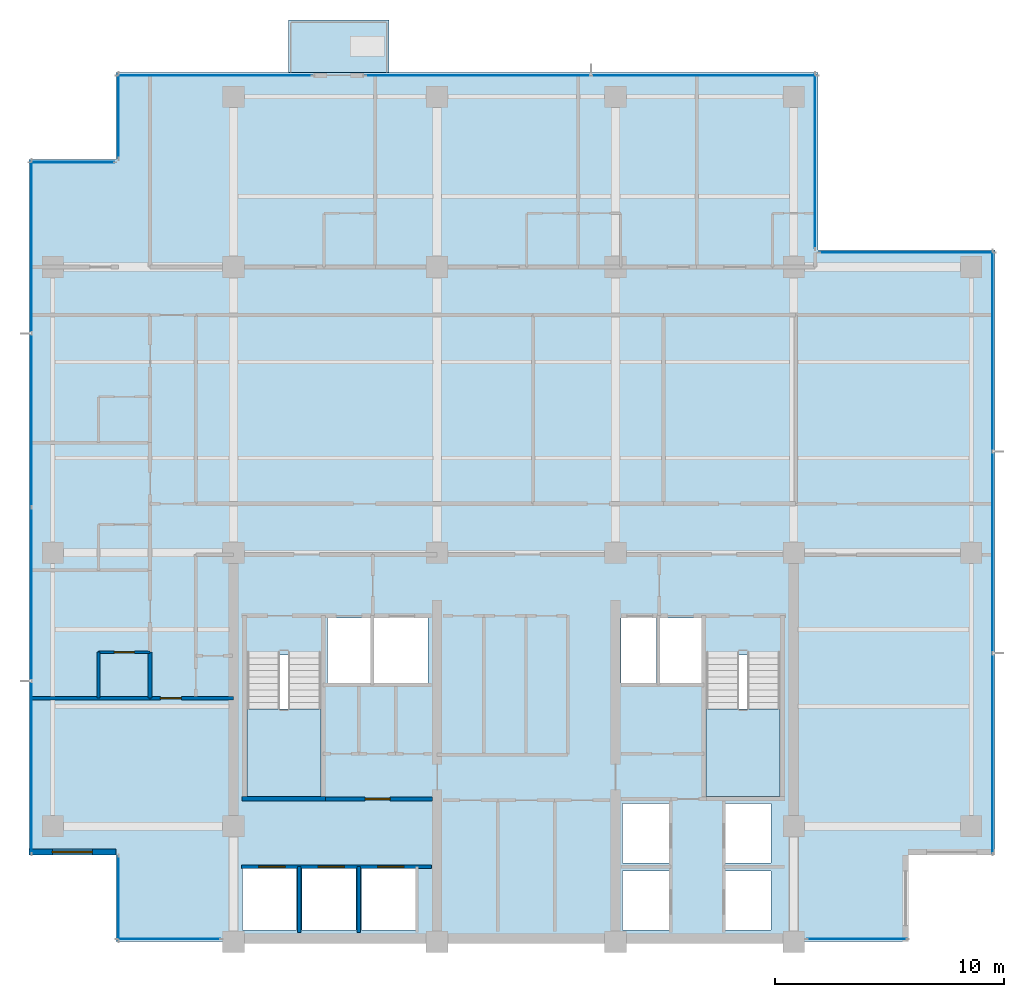
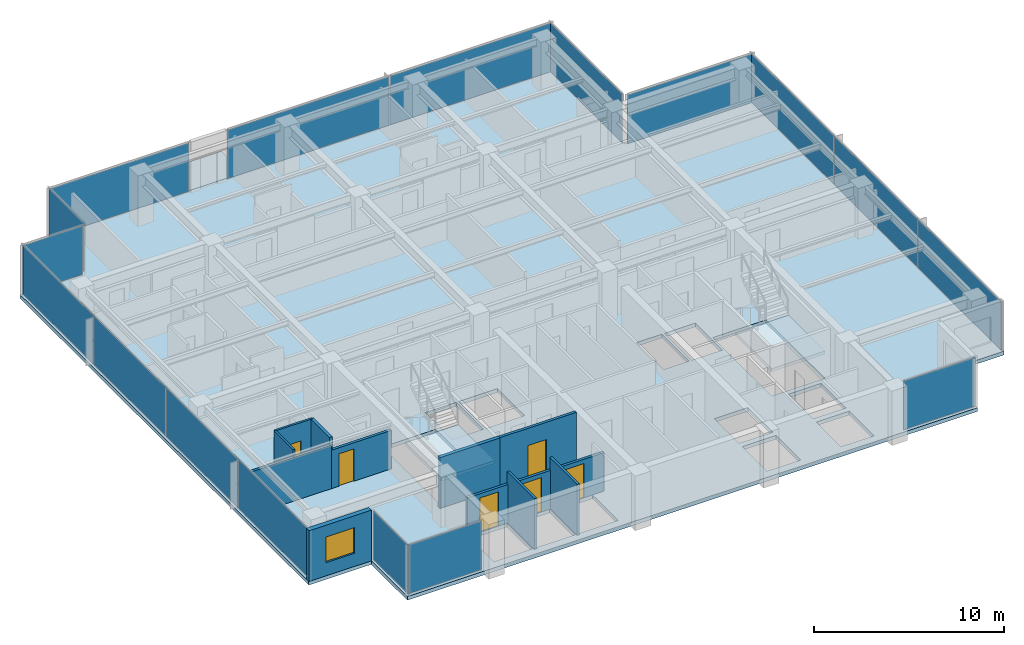
# One storey, part 6 of 14: 17 plates, 11 walls, 6 doors, 4 slabs, 1 window, 7 openings, 13 elements without a shape of their own.
"""IFC4 building model written with IfcOpenShell, lengths in metres."""

import ifcopenshell
import ifcopenshell.guid

model = None  # the IFC model being written
_history = None  # IfcOwnerHistory: only IFC2X3 demands one
_inside = {}  # id of a spatial element -> (the spatial element, [elements in it])
_under = {}  # id of a project, library or spatial element -> (it, [spatial elements below it])
_declared = {}  # id of a project -> (the project, [libraries it declares])
_typed = {}  # id of a type object -> (the type object, [elements of that type])
_made_of = {}  # id of a material, layer set ... -> (it, [elements and type objects made of it])


def new_model(schema):
    """Start an empty IFC model of exactly this schema.

    Asked for "IFC4X3", IfcOpenShell would pick the latest addendum, in which some entities
    have other attributes; the version numbers below select the first issue.
    IFC2X3 requires an IfcOwnerHistory on every rooted entity: one is made here for all.
    """
    global model, _history
    if schema == "IFC4X3":
        model = ifcopenshell.file(schema_version=(4, 3, 0, 0))
    else:
        model = ifcopenshell.file(schema=schema)
    _inside.clear()
    _under.clear()
    _declared.clear()
    _typed.clear()
    _made_of.clear()
    _history = None
    if model.schema == "IFC2X3":
        org = make("IfcOrganization", Name="unknown")
        user = make(
            "IfcPersonAndOrganization",
            ThePerson=make("IfcPerson", FamilyName="unknown"),
            TheOrganization=org,
        )
        app = make(
            "IfcApplication",
            ApplicationDeveloper=org,
            Version="unknown",
            ApplicationFullName="unknown",
            ApplicationIdentifier="unknown",
        )
        _history = make(
            "IfcOwnerHistory",
            OwningUser=user,
            OwningApplication=app,
            ChangeAction="ADDED",
            CreationDate=0,
        )
    return model


def make(cls, **values):
    """One entity of the class cls with the attributes given. An attribute that is None is left unset."""
    return model.create_entity(
        cls, **{name: value for name, value in values.items() if value is not None}
    )


def rooted(cls, **values):
    """An entity with a GlobalId (a new one), such as an element, a storey or a relation."""
    return make(cls, GlobalId=ifcopenshell.guid.new(), OwnerHistory=_history, **values)


def si_unit(unit_type, name, prefix=None):
    """IfcSIUnit, for example si_unit("LENGTHUNIT", "METRE", prefix="MILLI")."""
    return make("IfcSIUnit", UnitType=unit_type, Prefix=prefix, Name=name)


def assignment(units):
    """IfcUnitAssignment: the units of a project."""
    return None if units is None else make("IfcUnitAssignment", Units=units)


def point(xyz):
    """IfcCartesianPoint."""
    return None if xyz is None else make("IfcCartesianPoint", Coordinates=xyz)


def direction(xyz):
    """IfcDirection."""
    return None if xyz is None else make("IfcDirection", DirectionRatios=xyz)


def frame(location, z_axis=None, x_axis=None):
    """IfcAxis2Placement3D, a coordinate frame: its origin and axes. An axis left out is left unset."""
    return make(
        "IfcAxis2Placement3D",
        Location=point(location),
        Axis=direction(z_axis),
        RefDirection=direction(x_axis),
    )


def frame_2d(location, x_axis=None):
    """IfcAxis2Placement2D, a coordinate frame in the plane: its origin and x axis."""
    return make(
        "IfcAxis2Placement2D", Location=point(location), RefDirection=direction(x_axis)
    )


def origin():
    """The frame at (0, 0, 0) with its axes left unset."""
    return frame((0.0, 0.0, 0.0))


def origin_2d():
    """The frame at (0, 0) in the plane with its x axis left unset."""
    return frame_2d((0.0, 0.0))


def place(relative_to, where):
    """IfcLocalPlacement: puts the frame where relative to a parent placement (None: the world)."""
    return make(
        "IfcLocalPlacement", PlacementRelTo=relative_to, RelativePlacement=where
    )


def context(
    kind, dimensions, precision=None, world=None, true_north=None, identifier=None
):
    """IfcGeometricRepresentationContext, for example the 3D "Model" context."""
    return make(
        "IfcGeometricRepresentationContext",
        ContextIdentifier=identifier,
        ContextType=kind,
        CoordinateSpaceDimension=dimensions,
        Precision=precision,
        WorldCoordinateSystem=world,
        TrueNorth=true_north,
    )


def subcontext(parent, identifier, kind, view, scale=None):
    """IfcGeometricRepresentationSubContext, for example "Body" below "Model"."""
    return make(
        "IfcGeometricRepresentationSubContext",
        ContextIdentifier=identifier,
        ContextType=kind,
        ParentContext=parent,
        TargetScale=scale,
        TargetView=view,
    )


def project(units=None, contexts=None):
    """IfcProject with its units and contexts."""
    return rooted(
        "IfcProject",
        Name="project",
        RepresentationContexts=contexts,
        UnitsInContext=assignment(units),
    )


def spatial(cls, under=None, at=None, **own):
    """A site, building, storey or space (cls), placed at a placement, below another one or the project."""
    s = rooted(cls, ObjectPlacement=at, **own)
    if under is not None:
        _under.setdefault(under.id(), (under, []))[1].append(s)
    return s


def polyline(points):
    """IfcPolyline through the points."""
    return make("IfcPolyline", Points=[point(p) for p in points])


def profile(cls, at=None, kind="AREA", **sizes):
    """A parametric profile (cls). Its sizes go by their IFC names, for example OverallWidth=200.0."""
    return make(cls, ProfileType=kind, Position=at, **sizes)


def rectangle(**sizes):
    """IfcRectangleProfileDef."""
    return profile("IfcRectangleProfileDef", **sizes)


def outline(outer, holes=None, kind="AREA"):
    """IfcArbitraryClosedProfileDef: a profile drawn as a closed curve; with holes, ...WithVoids."""
    if holes is None:
        return make("IfcArbitraryClosedProfileDef", ProfileType=kind, OuterCurve=outer)
    return make(
        "IfcArbitraryProfileDefWithVoids",
        ProfileType=kind,
        OuterCurve=outer,
        InnerCurves=holes,
    )


def extrude(swept, where, along, depth):
    """IfcExtrudedAreaSolid: the profile swept, set in the frame where, extruded along a direction by depth."""
    return make(
        "IfcExtrudedAreaSolid",
        SweptArea=swept,
        Position=where,
        ExtrudedDirection=direction(along),
        Depth=depth,
    )


def shape(context_of_items, identifier, shape_type, items):
    """IfcShapeRepresentation: the items that make up one representation, for example the "Body"."""
    return make(
        "IfcShapeRepresentation",
        ContextOfItems=context_of_items,
        RepresentationIdentifier=identifier,
        RepresentationType=shape_type,
        Items=items,
    )


def material(Name=None, Category=None):
    """IfcMaterial."""
    return make("IfcMaterial", Name=Name, Category=Category)


def layer(
    of_material, thickness, ventilated=None, Name=None, Category=None, Priority=None
):
    """IfcMaterialLayer: one layer of a wall or slab, of a material (None: an air gap)."""
    return make(
        "IfcMaterialLayer",
        Material=of_material,
        LayerThickness=thickness,
        IsVentilated=ventilated,
        Name=Name,
        Category=Category,
        Priority=Priority,
    )


def layer_set(layers, Name=None):
    """IfcMaterialLayerSet."""
    return make("IfcMaterialLayerSet", MaterialLayers=layers, LayerSetName=Name)


def made_of(thing, what):
    """Note that an element or type object is made of a material, layer set ...; save() writes the relation."""
    if what is not None:
        _made_of.setdefault(what.id(), (what, []))[1].append(thing)
    return thing


def type_object(cls, material=None, **own):
    """A type object (cls), such as IfcWallType, which elements share."""
    return made_of(rooted(cls, **own), material)


def element(
    cls,
    number,
    at=None,
    inside=None,
    cuts=None,
    type_object=None,
    material=None,
    context=None,
    identifier="Body",
    shape_type=None,
    held_by="IfcProductDefinitionShape",
    body=None,
    shapes=None,
    **own,
):
    """One element of the class cls, such as IfcWall. Its Tag is "e" and its number.

    at: its placement. inside: the storey or other place that contains it. cuts: it is an
    opening in that element (IfcRelVoidsElement). A single representation is given by context,
    identifier, shape_type and body (its items); several are given by shapes. held_by: the class
    of the entity that holds the representations. save() writes the other relations.
    """
    e = rooted(cls, Tag="e%d" % number, ObjectPlacement=at, **own)
    if body is not None:
        shapes = [shape(context, identifier, shape_type, body)]
    if shapes is not None:
        e.Representation = make(held_by, Representations=shapes)
    if inside is not None:
        _inside.setdefault(inside.id(), (inside, []))[1].append(e)
    if cuts is not None:
        rooted(
            "IfcRelVoidsElement", RelatingBuildingElement=cuts, RelatedOpeningElement=e
        )
    if type_object is not None:
        _typed.setdefault(type_object.id(), (type_object, []))[1].append(e)
    return made_of(e, material)


def fill(opening, filler):
    """IfcRelFillsElement: the door or window that sits in an opening."""
    return rooted(
        "IfcRelFillsElement",
        RelatingOpeningElement=opening,
        RelatedBuildingElement=filler,
    )


def aggregate(whole, parts):
    """IfcRelAggregates: a whole, such as a stair, and the parts it consists of."""
    return rooted("IfcRelAggregates", RelatingObject=whole, RelatedObjects=parts)


def save(model, path):
    """Write the relations noted so far, then the file.

    IfcRelAggregates (storeys below a building ...), IfcRelContainedInSpatialStructure (elements
    in a storey), IfcRelDefinesByType, IfcRelAssociatesMaterial and IfcRelDeclares: one each for
    every whole, place, type object, material and project.
    """
    for whole, parts in _under.values():
        aggregate(whole, parts)
    for where, things in _inside.values():
        rooted(
            "IfcRelContainedInSpatialStructure",
            RelatedElements=things,
            RelatingStructure=where,
        )
    for kind, things in _typed.values():
        rooted("IfcRelDefinesByType", RelatedObjects=things, RelatingType=kind)
    for what, things in _made_of.values():
        rooted("IfcRelAssociatesMaterial", RelatedObjects=things, RelatingMaterial=what)
    for by, libraries in _declared.values():
        rooted("IfcRelDeclares", RelatingContext=by, RelatedDefinitions=libraries)
    model.write(path)


model = new_model("IFC4")

# Units and contexts
model_context = context("Model", 3, precision=1e-05, world=origin(), true_north=direction((0.0, 1.0)))
body_context = subcontext(model_context, "Body", "Model", "MODEL_VIEW")
ifc_project = project(units=[si_unit("LENGTHUNIT", "METRE"), si_unit("AREAUNIT", "SQUARE_METRE"), si_unit("VOLUMEUNIT", "CUBIC_METRE"), si_unit("PLANEANGLEUNIT", "RADIAN"), si_unit("MASSUNIT", "GRAM", prefix="KILO")], contexts=[model_context])

# Site, building, storey
site_placement = place(None, origin())
site = spatial("IfcSite", under=ifc_project, at=site_placement, CompositionType="ELEMENT")
building_placement = place(site_placement, origin())
building = spatial("IfcBuilding", under=site, at=building_placement, Name="Qalmaran Belvedere Hotel", CompositionType="ELEMENT")
storey_placement = place(building_placement, frame((0.0, 0.0, 200.39990234375)))
storey = spatial("IfcBuildingStorey", under=building, at=storey_placement, Name="L50", CompositionType="ELEMENT", Elevation=200.39990234375)

# Curtain wall, plate
ifc_material_1 = material(Name="Anodised Bronze Aluminium", Category="aluminium")
ifc_layer_1 = layer(ifc_material_1, 0.18994140625, Name="Anodised Bronze Aluminium")
ifc_layer_set_1 = layer_set([ifc_layer_1], Name="Anodised Bronze Aluminium")
curtain_wall_type = type_object("IfcCurtainWallType", Name="CW5-TOWER-UPPER", PredefinedType="NOTDEFINED", material=ifc_layer_set_1)
curtain_wall_1_placement = place(storey_placement, origin())
curtain_wall_1 = element("IfcCurtainWall", 1, at=curtain_wall_1_placement, inside=storey, type_object=curtain_wall_type, Name="L50 Curtain Wall CW5", PredefinedType="NOTDEFINED")
ifc_material_2 = material(Name="Solar-Control Double Glazing", Category="glass")
ifc_layer_2 = layer(ifc_material_2, 0.028076171875, Name="Solar-Control Double Glazing")
ifc_layer_set_2 = layer_set([ifc_layer_2], Name="Solar-Control Double Glazing")
plate_type = type_object("IfcPlateType", Name="CWP-VISION-28", PredefinedType="CURTAIN_PANEL", material=ifc_layer_set_2)
plate_1_placement = place(storey_placement, frame((17.467529296875, 3.6201171875, 0.065185546875), z_axis=(0.0, 0.0, 1.0), x_axis=(1.0, 0.0, 0.0)))
plate_1 = element("IfcPlate", 2, at=plate_1_placement, type_object=plate_type, Name="CW5 panel 1.1", PredefinedType="CURTAIN_PANEL", context=body_context, shape_type="SweptSolid", body=[
    extrude(rectangle(XDim=4.5048828125, YDim=0.028076171875, at=origin_2d()), origin(), (0.0, 0.0, 1.0), 3.1298828125),
])
aggregate(curtain_wall_1, [plate_1])

curtain_wall_2_placement = place(storey_placement, origin())
curtain_wall_2 = element("IfcCurtainWall", 3, at=curtain_wall_2_placement, inside=storey, type_object=curtain_wall_type, Name="L50 Curtain Wall CW5", PredefinedType="NOTDEFINED")
plate_2_placement = place(storey_placement, frame((47.5576171875, 3.6201171875, 0.065185546875), z_axis=(0.0, 0.0, 1.0), x_axis=(1.0, 0.0, 0.0)))
plate_2 = element("IfcPlate", 4, at=plate_2_placement, type_object=plate_type, Name="CW5 panel 1.1", PredefinedType="CURTAIN_PANEL", context=body_context, shape_type="SweptSolid", body=[
    extrude(rectangle(XDim=4.35498046875, YDim=0.028076171875, at=origin_2d()), origin(), (0.0, 0.0, 1.0), 3.1298828125),
])
aggregate(curtain_wall_2, [plate_2])

# Curtain wall, plates
curtain_wall_3_placement = place(storey_placement, origin())
curtain_wall_3 = element("IfcCurtainWall", 5, at=curtain_wall_3_placement, inside=storey, type_object=curtain_wall_type, Name="L50 Curtain Wall CW5", PredefinedType="NOTDEFINED")
plate_3_placement = place(storey_placement, frame((53.47998046875, 11.724609375, 0.065185546875), z_axis=(0.0, 0.0, 1.0), x_axis=(0.0, 1.0, 0.0)))
plate_3 = element("IfcPlate", 6, at=plate_3_placement, type_object=plate_type, Name="CW5 panel 1.1", PredefinedType="CURTAIN_PANEL", context=body_context, shape_type="SweptSolid", body=[
    extrude(rectangle(XDim=8.71923828125, YDim=0.028076171875, at=origin_2d()), origin(), (0.0, 0.0, 1.0), 3.1298828125),
])
plate_4_placement = place(storey_placement, frame((53.47998046875, 20.52490234375, 0.065185546875), z_axis=(0.0, 0.0, 1.0), x_axis=(0.0, 1.0, 0.0)))
plate_4 = element("IfcPlate", 7, at=plate_4_placement, type_object=plate_type, Name="CW5 panel 2.1", PredefinedType="CURTAIN_PANEL", context=body_context, shape_type="SweptSolid", body=[
    extrude(rectangle(XDim=8.751708984375, YDim=0.028076171875, at=origin_2d()), origin(), (0.0, 0.0, 1.0), 3.1298828125),
])
plate_5_placement = place(storey_placement, frame((53.47998046875, 29.325439453125, 0.065185546875), z_axis=(0.0, 0.0, 1.0), x_axis=(0.0, 1.0, 0.0)))
plate_5 = element("IfcPlate", 8, at=plate_5_placement, type_object=plate_type, Name="CW5 panel 3.1", PredefinedType="CURTAIN_PANEL", context=body_context, shape_type="SweptSolid", body=[
    extrude(rectangle(XDim=8.71923828125, YDim=0.028076171875, at=origin_2d()), origin(), (0.0, 0.0, 1.0), 3.1298828125),
])
aggregate(curtain_wall_3, [plate_3, plate_4, plate_5])

# Curtain wall, plate
curtain_wall_4_placement = place(storey_placement, origin())
curtain_wall_4 = element("IfcCurtainWall", 9, at=curtain_wall_4_placement, inside=storey, type_object=curtain_wall_type, Name="L50 Curtain Wall CW5", PredefinedType="NOTDEFINED")
plate_6_placement = place(storey_placement, frame((49.72509765625, 33.6298828125, 0.065185546875), z_axis=(0.0, 0.0, 1.0), x_axis=(-1.0, 0.0, 0.0)))
plate_6 = element("IfcPlate", 10, at=plate_6_placement, type_object=plate_type, Name="CW5 panel 1.1", PredefinedType="CURTAIN_PANEL", context=body_context, shape_type="SweptSolid", body=[
    extrude(rectangle(XDim=7.6201171875, YDim=0.028076171875, at=origin_2d()), origin(), (0.0, 0.0, 1.0), 3.1298828125),
])
aggregate(curtain_wall_4, [plate_6])

curtain_wall_5_placement = place(storey_placement, origin())
curtain_wall_5 = element("IfcCurtainWall", 11, at=curtain_wall_5_placement, inside=storey, type_object=curtain_wall_type, Name="L50 Curtain Wall CW5", PredefinedType="NOTDEFINED")
plate_7_placement = place(storey_placement, frame((45.72998046875, 37.625, 0.065185546875), z_axis=(0.0, 0.0, 1.0), x_axis=(0.0, 1.0, 0.0)))
plate_7 = element("IfcPlate", 12, at=plate_7_placement, type_object=plate_type, Name="CW5 panel 1.1", PredefinedType="CURTAIN_PANEL", context=body_context, shape_type="SweptSolid", body=[
    extrude(rectangle(XDim=7.6201171875, YDim=0.028076171875, at=origin_2d()), origin(), (0.0, 0.0, 1.0), 3.1298828125),
])
aggregate(curtain_wall_5, [plate_7])

curtain_wall_6_placement = place(storey_placement, origin())
curtain_wall_6 = element("IfcCurtainWall", 13, at=curtain_wall_6_placement, inside=storey, type_object=curtain_wall_type, Name="L50 Curtain Wall CW5", PredefinedType="NOTDEFINED")
plate_8_placement = place(storey_placement, frame((19.47509765625, 41.3798828125, 0.065185546875), z_axis=(0.0, 0.0, 1.0), x_axis=(-1.0, 0.0, 0.0)))
plate_8 = element("IfcPlate", 14, at=plate_8_placement, type_object=plate_type, Name="CW5 panel 1.1", PredefinedType="CURTAIN_PANEL", context=body_context, shape_type="SweptSolid", body=[
    extrude(rectangle(XDim=8.52001953125, YDim=0.028076171875, at=origin_2d()), origin(), (0.0, 0.0, 1.0), 3.1298828125),
])
aggregate(curtain_wall_6, [plate_8])

# Curtain wall, plates
curtain_wall_7_placement = place(storey_placement, origin())
curtain_wall_7 = element("IfcCurtainWall", 15, at=curtain_wall_7_placement, inside=storey, type_object=curtain_wall_type, Name="L50 Curtain Wall CW5", PredefinedType="NOTDEFINED")
plate_9_placement = place(storey_placement, frame((40.871337890625, 41.3798828125, 0.065185546875), z_axis=(0.0, 0.0, 1.0), x_axis=(-1.0, 0.0, 0.0)))
plate_9 = element("IfcPlate", 16, at=plate_9_placement, type_object=plate_type, Name="CW5 panel 1.1", PredefinedType="CURTAIN_PANEL", context=body_context, shape_type="SweptSolid", body=[
    extrude(rectangle(XDim=9.827392578125, YDim=0.028076171875, at=origin_2d()), origin(), (0.0, 0.0, 1.0), 3.1298828125),
])
plate_10_placement = place(storey_placement, frame((30.978759765625, 41.3798828125, 0.065185546875), z_axis=(0.0, 0.0, 1.0), x_axis=(-1.0, 0.0, 0.0)))
plate_10 = element("IfcPlate", 17, at=plate_10_placement, type_object=plate_type, Name="CW5 panel 2.1", PredefinedType="CURTAIN_PANEL", context=body_context, shape_type="SweptSolid", body=[
    extrude(rectangle(XDim=9.827392578125, YDim=0.028076171875, at=origin_2d()), origin(), (0.0, 0.0, 1.0), 3.1298828125),
])
aggregate(curtain_wall_7, [plate_9, plate_10])

# Curtain wall, plate
curtain_wall_8_placement = place(storey_placement, origin())
curtain_wall_8 = element("IfcCurtainWall", 18, at=curtain_wall_8_placement, inside=storey, type_object=curtain_wall_type, Name="L50 Curtain Wall CW5", PredefinedType="NOTDEFINED")
plate_11_placement = place(storey_placement, frame((15.27001953125, 39.60009765625, 0.065185546875), z_axis=(0.0, 0.0, 1.0), x_axis=(0.0, -1.0, 0.0)))
plate_11 = element("IfcPlate", 19, at=plate_11_placement, type_object=plate_type, Name="CW5 panel 1.1", PredefinedType="CURTAIN_PANEL", context=body_context, shape_type="SweptSolid", body=[
    extrude(rectangle(XDim=3.669921875, YDim=0.028076171875, at=origin_2d()), origin(), (0.0, 0.0, 1.0), 3.1298828125),
])
aggregate(curtain_wall_8, [plate_11])

curtain_wall_9_placement = place(storey_placement, origin())
curtain_wall_9 = element("IfcCurtainWall", 20, at=curtain_wall_9_placement, inside=storey, type_object=curtain_wall_type, Name="L50 Curtain Wall CW5", PredefinedType="NOTDEFINED")
plate_12_placement = place(storey_placement, frame((13.25, 37.580078125, 0.065185546875), z_axis=(0.0, 0.0, 1.0), x_axis=(-1.0, 0.0, 0.0)))
plate_12 = element("IfcPlate", 21, at=plate_12_placement, type_object=plate_type, Name="CW5 panel 1.1", PredefinedType="CURTAIN_PANEL", context=body_context, shape_type="SweptSolid", body=[
    extrude(rectangle(XDim=3.669921875, YDim=0.028076171875, at=origin_2d()), origin(), (0.0, 0.0, 1.0), 3.1298828125),
])
aggregate(curtain_wall_9, [plate_12])

# Curtain wall, plates
curtain_wall_10_placement = place(storey_placement, origin())
curtain_wall_10 = element("IfcCurtainWall", 22, at=curtain_wall_10_placement, inside=storey, type_object=curtain_wall_type, Name="L50 Curtain Wall CW5", PredefinedType="NOTDEFINED")
plate_13_placement = place(storey_placement, frame((11.469970703125, 33.8837890625, 0.065185546875), z_axis=(0.0, 0.0, 1.0), x_axis=(0.0, -1.0, 0.0)))
plate_13 = element("IfcPlate", 23, at=plate_13_placement, type_object=plate_type, Name="CW5 panel 1.1", PredefinedType="CURTAIN_PANEL", context=body_context, shape_type="SweptSolid", body=[
    extrude(rectangle(XDim=7.50244140625, YDim=0.028076171875, at=origin_2d()), origin(), (0.0, 0.0, 1.0), 3.1298828125),
])
plate_14_placement = place(storey_placement, frame((11.469970703125, 26.300048828125, 0.065185546875), z_axis=(0.0, 0.0, 1.0), x_axis=(0.0, -1.0, 0.0)))
plate_14 = element("IfcPlate", 24, at=plate_14_placement, type_object=plate_type, Name="CW5 panel 2.1", PredefinedType="CURTAIN_PANEL", context=body_context, shape_type="SweptSolid", body=[
    extrude(rectangle(XDim=7.534912109375, YDim=0.028076171875, at=origin_2d()), origin(), (0.0, 0.0, 1.0), 3.1298828125),
])
plate_15_placement = place(storey_placement, frame((11.469970703125, 18.699951171875, 0.065185546875), z_axis=(0.0, 0.0, 1.0), x_axis=(0.0, -1.0, 0.0)))
plate_15 = element("IfcPlate", 25, at=plate_15_placement, type_object=plate_type, Name="CW5 panel 3.1", PredefinedType="CURTAIN_PANEL", context=body_context, shape_type="SweptSolid", body=[
    extrude(rectangle(XDim=7.534912109375, YDim=0.028076171875, at=origin_2d()), origin(), (0.0, 0.0, 1.0), 3.1298828125),
])
plate_16_placement = place(storey_placement, frame((11.469970703125, 11.1162109375, 0.065185546875), z_axis=(0.0, 0.0, 1.0), x_axis=(0.0, -1.0, 0.0)))
plate_16 = element("IfcPlate", 26, at=plate_16_placement, type_object=plate_type, Name="CW5 panel 4.1", PredefinedType="CURTAIN_PANEL", context=body_context, shape_type="SweptSolid", body=[
    extrude(rectangle(XDim=7.50244140625, YDim=0.028076171875, at=origin_2d()), origin(), (0.0, 0.0, 1.0), 3.1298828125),
])
aggregate(curtain_wall_10, [plate_13, plate_14, plate_15, plate_16])

# Curtain wall, plate
curtain_wall_11_placement = place(storey_placement, origin())
curtain_wall_11 = element("IfcCurtainWall", 27, at=curtain_wall_11_placement, inside=storey, type_object=curtain_wall_type, Name="L50 Curtain Wall CW5", PredefinedType="NOTDEFINED")
plate_17_placement = place(storey_placement, frame((15.27001953125, 5.39990234375, 0.065185546875), z_axis=(0.0, 0.0, 1.0), x_axis=(0.0, -1.0, 0.0)))
plate_17 = element("IfcPlate", 28, at=plate_17_placement, type_object=plate_type, Name="CW5 panel 1.1", PredefinedType="CURTAIN_PANEL", context=body_context, shape_type="SweptSolid", body=[
    extrude(rectangle(XDim=3.669921875, YDim=0.028076171875, at=origin_2d()), origin(), (0.0, 0.0, 1.0), 3.1298828125),
])
aggregate(curtain_wall_11, [plate_17])

# Slab
ifc_material_3 = material(Name="Concrete C40/50", Category="concrete")
ifc_layer_3 = layer(ifc_material_3, 0.219970703125, Name="Concrete C40/50")
ifc_layer_set_3 = layer_set([ifc_layer_3], Name="Concrete C40/50")
slab_type_1 = type_object("IfcSlabType", Name="SLB-BAL-220", PredefinedType="USERDEFINED", material=ifc_layer_set_3)
slab_1_placement = place(storey_placement, frame((0.0, 0.0, -0.219970703125)))
element("IfcSlab", 29, at=slab_1_placement, inside=storey, type_object=slab_type_1, Name="L50 Planted Tree Balcony Slab 1", ObjectType="BALCONY", PredefinedType="USERDEFINED", context=body_context, shape_type="SweptSolid", body=[
    extrude(outline(polyline([(22.699951171875, 41.5), (27.10009765625, 41.5), (27.10009765625, 43.800048828125), (22.699951171875, 43.800048828125), (22.699951171875, 41.5)])), origin(), (0.0, 0.0, 1.0), 0.219970703125),
])

# Stair, slab
stair_type_1 = type_object("IfcStairType", Name="STR-ST-1-1450-R1750", PredefinedType="HALF_TURN_STAIR", material=ifc_material_3)
stair_1_placement = place(storey_placement, origin())
stair_1 = element("IfcStair", 30, at=stair_1_placement, inside=storey, type_object=stair_type_1, Name="L50 West Core Exit Stair ST-1", PredefinedType="HALF_TURN_STAIR")
ifc_layer_4 = layer(ifc_material_3, 0.199951171875, Name="Concrete C40/50")
ifc_layer_set_4 = layer_set([ifc_layer_4], Name="Concrete C40/50")
slab_type_2 = type_object("IfcSlabType", Name="SLB-STAIR-LANDING-200", PredefinedType="LANDING", material=ifc_layer_set_4)
slab_2_placement = place(storey_placement, frame((0.0, 0.0, 1.550048828125)))
slab_2 = element("IfcSlab", 31, at=slab_2_placement, type_object=slab_type_2, Name="ST-1 landing 1", PredefinedType="LANDING", context=body_context, shape_type="SweptSolid", body=[
    extrude(outline(polyline([(20.8798828125, 13.669921875), (20.8798828125, 9.85009765625), (24.1201171875, 9.85009765625), (24.1201171875, 13.669921875), (20.8798828125, 13.669921875)])), origin(), (0.0, 0.0, 1.0), 0.199951171875),
])
aggregate(stair_1, [slab_2])

stair_type_2 = type_object("IfcStairType", Name="STR-ST-2-1450-R1750", PredefinedType="HALF_TURN_STAIR", material=ifc_material_3)
stair_2_placement = place(storey_placement, origin())
stair_2 = element("IfcStair", 32, at=stair_2_placement, inside=storey, type_object=stair_type_2, Name="L50 East Core Exit Stair ST-2", PredefinedType="HALF_TURN_STAIR")
slab_3_placement = place(storey_placement, frame((0.0, 0.0, 1.550048828125)))
slab_3 = element("IfcSlab", 33, at=slab_3_placement, type_object=slab_type_2, Name="ST-2 landing 1", PredefinedType="LANDING", context=body_context, shape_type="SweptSolid", body=[
    extrude(outline(polyline([(40.9599609375, 13.669921875), (40.9599609375, 9.85009765625), (44.199951171875, 9.85009765625), (44.199951171875, 13.669921875), (40.9599609375, 13.669921875)])), origin(), (0.0, 0.0, 1.0), 0.199951171875),
])
aggregate(stair_2, [slab_3])

# Slab
ifc_layer_5 = layer(ifc_material_3, 0.239990234375, Name="Concrete C40/50")
ifc_layer_set_5 = layer_set([ifc_layer_5], Name="Concrete C40/50")
slab_type_3 = type_object("IfcSlabType", Name="SLB-Z4-240", PredefinedType="FLOOR", material=ifc_layer_set_5)
slab_4_placement = place(storey_placement, frame((0.0, 0.0, -0.239990234375)))
element("IfcSlab", 34, at=slab_4_placement, inside=storey, type_object=slab_type_3, Name="L50 Structural Floor Slab", PredefinedType="FLOOR", context=body_context, shape_type="SweptSolid", body=[
    extrude(outline(polyline([(15.14990234375, 3.5), (49.800048828125, 3.5), (49.800048828125, 7.300048828125), (53.60009765625, 7.300048828125), (53.60009765625, 33.75), (45.85009765625, 33.75), (45.85009765625, 41.5), (15.14990234375, 41.5), (15.14990234375, 37.699951171875), (11.35009765625, 37.699951171875), (11.35009765625, 7.300048828125), (15.14990234375, 7.300048828125), (15.14990234375, 3.5)]), holes=[polyline([(20.8798828125, 9.85009765625), (24.1201171875, 9.85009765625), (24.1201171875, 16.0400390625), (20.8798828125, 16.0400390625), (20.8798828125, 9.85009765625)]), polyline([(40.9599609375, 9.85009765625), (44.199951171875, 9.85009765625), (44.199951171875, 16.0400390625), (40.9599609375, 16.0400390625), (40.9599609375, 9.85009765625)]), polyline([(37.300048828125, 4.0), (39.35009765625, 4.0), (39.35009765625, 6.60009765625), (37.300048828125, 6.60009765625), (37.300048828125, 4.0)]), polyline([(37.300048828125, 6.949951171875), (39.35009765625, 6.949951171875), (39.35009765625, 9.550048828125), (37.300048828125, 9.550048828125), (37.300048828125, 6.949951171875)]), polyline([(41.800048828125, 4.0), (43.800048828125, 4.0), (43.800048828125, 6.60009765625), (41.800048828125, 6.60009765625), (41.800048828125, 4.0)]), polyline([(41.800048828125, 6.949951171875), (43.800048828125, 6.949951171875), (43.800048828125, 9.550048828125), (41.800048828125, 9.550048828125), (41.800048828125, 6.949951171875)]), polyline([(20.699951171875, 4.0), (23.050048828125, 4.0), (23.050048828125, 6.699951171875), (20.699951171875, 6.699951171875), (20.699951171875, 4.0)]), polyline([(23.300048828125, 4.0), (25.64990234375, 4.0), (25.64990234375, 6.699951171875), (23.300048828125, 6.699951171875), (23.300048828125, 4.0)]), polyline([(25.89990234375, 4.0), (28.25, 4.0), (28.25, 6.699951171875), (25.89990234375, 6.699951171875), (25.89990234375, 4.0)]), polyline([(24.39990234375, 14.800048828125), (26.300048828125, 14.800048828125), (26.300048828125, 17.64990234375), (24.39990234375, 17.64990234375), (24.39990234375, 14.800048828125)]), polyline([(38.949951171875, 14.800048828125), (40.820068359375, 14.800048828125), (40.820068359375, 17.64990234375), (38.949951171875, 17.64990234375), (38.949951171875, 14.800048828125)]), polyline([(26.449951171875, 14.800048828125), (28.800048828125, 14.800048828125), (28.800048828125, 17.64990234375), (26.449951171875, 17.64990234375), (26.449951171875, 14.800048828125)]), polyline([(37.25, 14.800048828125), (38.800048828125, 14.800048828125), (38.800048828125, 17.64990234375), (37.25, 17.64990234375), (37.25, 14.800048828125)])]), origin(), (0.0, 0.0, 1.0), 0.239990234375),
])

# Wall, opening, window
ifc_material_4 = material(Name="Anodised Bronze Cladding")
ifc_layer_6 = layer(ifc_material_4, 0.280029296875, Name="Anodised Bronze Cladding")
ifc_layer_set_6 = layer_set([ifc_layer_6], Name="Anodised Bronze Cladding")
wall_type_1 = type_object("IfcWallType", Name="WL-EXT-BRNZ-280", PredefinedType="SOLIDWALL", material=ifc_layer_set_6)
wall_1_placement = place(storey_placement, frame((11.35009765625, 7.419921875, 0.0), z_axis=(0.0, 0.0, 1.0), x_axis=(1.0, 0.0, 0.0)))
wall_1 = element("IfcWall", 35, at=wall_1_placement, inside=storey, type_object=wall_type_1, Name="L50 Corner Notch Wall 10", PredefinedType="SOLIDWALL", context=body_context, shape_type="SweptSolid", body=[
    extrude(rectangle(XDim=3.7998046875, YDim=0.280029296875, at=frame_2d((1.89990234375, 0.0))), origin(), (0.0, 0.0, 1.0), 3.260009765625),
])
opening_1_placement = place(wall_1_placement, frame((1.02490234375, 0.0, 0.85009765625)))
opening_1 = element("IfcOpeningElement", 36, at=opening_1_placement, cuts=wall_1, Name="Opening W-N17", PredefinedType="OPENING", context=body_context, shape_type="SweptSolid", body=[
    extrude(rectangle(XDim=1.75, YDim=1.64990234375, at=frame_2d((0.875, 0.824951171875))), frame((0.0, 0.14990234375, 0.0), z_axis=(0.0, -1.0, 0.0), x_axis=(1.0, 0.0, 0.0)), (0.0, 0.0, 1.0), 0.300048828125),
])
window_type = type_object("IfcWindowType", Name="WN-NTC-1750X1650", PartitioningType="SINGLE_PANEL", PredefinedType="WINDOW", material=ifc_material_2)
window_placement = place(opening_1_placement, origin())
window = element("IfcWindow", 37, at=window_placement, inside=storey, type_object=window_type, Name="L50 Corner Notch Window 10", OverallHeight=1.64990234375, OverallWidth=1.75, PartitioningType="SINGLE_PANEL", PredefinedType="WINDOW", context=body_context, shape_type="SweptSolid", body=[
    extrude(rectangle(XDim=1.75, YDim=1.64990234375, at=frame_2d((0.875, 0.824951171875))), frame((0.0, 0.030029296875, 0.0), z_axis=(0.0, -1.0, 0.0), x_axis=(1.0, 0.0, 0.0)), (0.0, 0.0, 1.0), 0.06005859375),
])
fill(opening_1, window)

# Wall, opening, door
ifc_material_5 = material(Name="Moisture-Resistant Gypsum")
ifc_layer_7 = layer(ifc_material_5, 0.1201171875, Name="Moisture-Resistant Gypsum")
ifc_layer_set_7 = layer_set([ifc_layer_7], Name="Moisture-Resistant Gypsum")
wall_type_2 = type_object("IfcWallType", Name="WL-INT-120-BATH", PredefinedType="PARTITIONING", material=ifc_layer_set_7)
wall_2_placement = place(storey_placement, frame((14.39990234375, 16.159912109375, 0.0), z_axis=(0.0, 0.0, 1.0), x_axis=(1.0, 0.0, 0.0)))
wall_2 = element("IfcWall", 38, at=wall_2_placement, inside=storey, type_object=wall_type_2, Name="L50 Partition WL-L50-WBN00", PredefinedType="PARTITIONING", context=body_context, shape_type="SweptSolid", body=[
    extrude(rectangle(XDim=2.25, YDim=0.1201171875, at=frame_2d((1.125, 0.0))), origin(), (0.0, 0.0, 1.0), 3.260009765625),
])
opening_2_placement = place(wall_2_placement, frame((1.56494140625, 0.0, 0.0), z_axis=(0.0, 0.0, 1.0), x_axis=(-1.0, 0.0, 0.0)))
opening_2 = element("IfcOpeningElement", 39, at=opening_2_placement, cuts=wall_2, Name="Opening D-BATH", PredefinedType="OPENING", context=body_context, shape_type="SweptSolid", body=[
    extrude(rectangle(XDim=0.8798828125, YDim=2.080078125, at=frame_2d((0.43994140625, 1.0400390625))), frame((0.0, 0.070068359375, 0.0), z_axis=(0.0, -1.0, 0.0), x_axis=(1.0, 0.0, 0.0)), (0.0, 0.0, 1.0), 0.14013671875),
])
ifc_material_6 = material(Name="Engineered Oak Veneer")
door_type_1 = type_object("IfcDoorType", Name="DR-INT-BATH-880X2080", OperationType="NOTDEFINED", PredefinedType="DOOR", material=ifc_material_6)
door_1_placement = place(opening_2_placement, origin())
door_1 = element("IfcDoor", 40, at=door_1_placement, inside=storey, type_object=door_type_1, Name="L50 W Ensuite Door 01", OperationType="SINGLE_SWING_LEFT", OverallHeight=2.080078125, OverallWidth=0.8798828125, PredefinedType="DOOR", context=body_context, shape_type="SweptSolid", body=[
    extrude(rectangle(XDim=0.8798828125, YDim=2.080078125, at=frame_2d((0.43994140625, 1.0400390625))), frame((0.0, 0.02490234375, 0.0), z_axis=(0.0, -1.0, 0.0), x_axis=(1.0, 0.0, 0.0)), (0.0, 0.0, 1.0), 0.050048828125),
])
fill(opening_2, door_1)

# Walls
wall_3_placement = place(storey_placement, frame((14.39990234375, 14.14990234375, 0.0), z_axis=(0.0, 0.0, 1.0), x_axis=(0.0, 1.0, 0.0)))
element("IfcWall", 41, at=wall_3_placement, inside=storey, type_object=wall_type_2, Name="L50 Partition WL-L50-WBS00", PredefinedType="PARTITIONING", context=body_context, shape_type="SweptSolid", body=[
    extrude(rectangle(XDim=2.010009765625, YDim=0.1201171875, at=frame_2d((1.0048828125, 0.0))), origin(), (0.0, 0.0, 1.0), 3.260009765625),
])
ifc_material_7 = material(Name="Gypsum Stud Partition")
ifc_layer_8 = layer(ifc_material_7, 0.14990234375, Name="Gypsum Stud Partition")
ifc_layer_set_8 = layer_set([ifc_layer_8], Name="Gypsum Stud Partition")
wall_type_3 = type_object("IfcWallType", Name="WL-INT-150-EI120", PredefinedType="PARTITIONING", material=ifc_layer_set_8)
for number, where, z_axis, x_axis, name in (
    (42, (23.179931640625, 3.89990234375, 0.0), (0.0, 0.0, 1.0), (0.0, 1.0, 0.0), "L50 Partition WL-POM1-L50"),
    (43, (25.780029296875, 3.89990234375, 0.0), (0.0, 0.0, 1.0), (0.0, 1.0, 0.0), "L50 Partition WL-POM2-L50"),
):
    element("IfcWall", number, at=place(storey_placement, frame(where, z_axis=z_axis, x_axis=x_axis)), inside=storey, type_object=wall_type_3, Name=name, PredefinedType="PARTITIONING", context=body_context, shape_type="SweptSolid", body=[
        extrude(rectangle(XDim=2.880126953125, YDim=0.14990234375, at=frame_2d((1.43994140625, 0.0))), origin(), (0.0, 0.0, 1.0), 3.260009765625),
    ])

# Wall, openings, doors
ifc_layer_9 = layer(ifc_material_7, 0.159912109375, Name="Gypsum Stud Partition")
ifc_layer_set_9 = layer_set([ifc_layer_9], Name="Gypsum Stud Partition")
wall_type_4 = type_object("IfcWallType", Name="WL-INT-160-EI120", PredefinedType="PARTITIONING", material=ifc_layer_set_9)
wall_4_placement = place(storey_placement, frame((20.64990234375, 6.780029296875, 0.0), z_axis=(0.0, 0.0, 1.0), x_axis=(1.0, 0.0, 0.0)))
wall_4 = element("IfcWall", 44, at=wall_4_placement, inside=storey, type_object=wall_type_4, Name="L50 Partition WL-POS-L50", PredefinedType="PARTITIONING", context=body_context, shape_type="SweptSolid", body=[
    extrude(rectangle(XDim=8.300048828125, YDim=0.159912109375, at=frame_2d((4.14990234375, 0.0))), origin(), (0.0, 0.0, 1.0), 2.47216796875),
])
opening_3_placement = place(wall_4_placement, frame((0.75, 0.0, 0.0)))
opening_3 = element("IfcOpeningElement", 45, at=opening_3_placement, cuts=wall_4, Name="Opening LD-PO", PredefinedType="OPENING", context=body_context, shape_type="SweptSolid", body=[
    extrude(rectangle(XDim=1.14990234375, YDim=2.199951171875, at=frame_2d((0.574951171875, 1.10009765625))), frame((0.0, 0.08984375, 0.0), z_axis=(0.0, -1.0, 0.0), x_axis=(1.0, 0.0, 0.0)), (0.0, 0.0, 1.0), 0.179931640625),
])
opening_4_placement = place(wall_4_placement, frame((3.35009765625, 0.0, 0.0)))
opening_4 = element("IfcOpeningElement", 46, at=opening_4_placement, cuts=wall_4, Name="Opening LD-PO", PredefinedType="OPENING", context=body_context, shape_type="SweptSolid", body=[
    extrude(rectangle(XDim=1.14990234375, YDim=2.199951171875, at=frame_2d((0.574951171875, 1.10009765625))), frame((0.0, 0.08984375, 0.0), z_axis=(0.0, -1.0, 0.0), x_axis=(1.0, 0.0, 0.0)), (0.0, 0.0, 1.0), 0.179931640625),
])
opening_5_placement = place(wall_4_placement, frame((5.949951171875, 0.0, 0.0)))
opening_5 = element("IfcOpeningElement", 47, at=opening_5_placement, cuts=wall_4, Name="Opening LD-PO", PredefinedType="OPENING", context=body_context, shape_type="SweptSolid", body=[
    extrude(rectangle(XDim=1.14990234375, YDim=2.199951171875, at=frame_2d((0.574951171875, 1.10009765625))), frame((0.0, 0.08984375, 0.0), z_axis=(0.0, -1.0, 0.0), x_axis=(1.0, 0.0, 0.0)), (0.0, 0.0, 1.0), 0.179931640625),
])
door_type_2 = type_object("IfcDoorType", Name="DR-LIFT-PO-1150X2200", OperationType="DOUBLE_DOOR_SLIDING", PredefinedType="DOOR", material=ifc_material_1)
door_2_placement = place(opening_3_placement, origin())
door_2 = element("IfcDoor", 48, at=door_2_placement, inside=storey, type_object=door_type_2, Name="L50 PO1 Shuttle Landing Door", OperationType="DOUBLE_DOOR_SLIDING", OverallHeight=2.199951171875, OverallWidth=1.14990234375, PredefinedType="DOOR", context=body_context, shape_type="SweptSolid", body=[
    extrude(rectangle(XDim=1.14990234375, YDim=2.199951171875, at=frame_2d((0.574951171875, 1.10009765625))), frame((0.0, 0.02490234375, 0.0), z_axis=(0.0, -1.0, 0.0), x_axis=(1.0, 0.0, 0.0)), (0.0, 0.0, 1.0), 0.050048828125),
])
fill(opening_3, door_2)
door_3_placement = place(opening_4_placement, origin())
door_3 = element("IfcDoor", 49, at=door_3_placement, inside=storey, type_object=door_type_2, Name="L50 PO2 Shuttle Landing Door", OperationType="DOUBLE_DOOR_SLIDING", OverallHeight=2.199951171875, OverallWidth=1.14990234375, PredefinedType="DOOR", context=body_context, shape_type="SweptSolid", body=[
    extrude(rectangle(XDim=1.14990234375, YDim=2.199951171875, at=frame_2d((0.574951171875, 1.10009765625))), frame((0.0, 0.02490234375, 0.0), z_axis=(0.0, -1.0, 0.0), x_axis=(1.0, 0.0, 0.0)), (0.0, 0.0, 1.0), 0.050048828125),
])
fill(opening_4, door_3)
door_4_placement = place(opening_5_placement, origin())
door_4 = element("IfcDoor", 50, at=door_4_placement, inside=storey, type_object=door_type_2, Name="L50 PO3 Shuttle Landing Door", OperationType="DOUBLE_DOOR_SLIDING", OverallHeight=2.199951171875, OverallWidth=1.14990234375, PredefinedType="DOOR", context=body_context, shape_type="SweptSolid", body=[
    extrude(rectangle(XDim=1.14990234375, YDim=2.199951171875, at=frame_2d((0.574951171875, 1.10009765625))), frame((0.0, 0.02490234375, 0.0), z_axis=(0.0, -1.0, 0.0), x_axis=(1.0, 0.0, 0.0)), (0.0, 0.0, 1.0), 0.050048828125),
])
fill(opening_5, door_4)

# Wall, opening, door
wall_5_placement = place(storey_placement, frame((24.199951171875, 9.739990234375, 0.0), z_axis=(0.0, 0.0, 1.0), x_axis=(1.0, 0.0, 0.0)))
wall_5 = element("IfcWall", 51, at=wall_5_placement, inside=storey, type_object=wall_type_4, Name="L50 Partition WL-PON-L50", PredefinedType="PARTITIONING", context=body_context, shape_type="SweptSolid", body=[
    extrude(rectangle(XDim=4.800048828125, YDim=0.159912109375, at=frame_2d((2.39990234375, 0.0))), origin(), (0.0, 0.0, 1.0), 3.260009765625),
])
opening_6_placement = place(wall_5_placement, frame((1.85009765625, 0.0, 0.0)))
opening_6 = element("IfcOpeningElement", 52, at=opening_6_placement, cuts=wall_5, Name="Opening FD90", PredefinedType="OPENING", context=body_context, shape_type="SweptSolid", body=[
    extrude(rectangle(XDim=1.10009765625, YDim=2.14990234375, at=frame_2d((0.550048828125, 1.074951171875))), frame((0.0, 0.08984375, 0.0), z_axis=(0.0, -1.0, 0.0), x_axis=(1.0, 0.0, 0.0)), (0.0, 0.0, 1.0), 0.179931640625),
])
ifc_material_8 = material(Name="Steel S355JR", Category="steel")
door_type_3 = type_object("IfcDoorType", Name="DR-FD90-1100X2150", OperationType="NOTDEFINED", PredefinedType="DOOR", material=ifc_material_8)
door_5_placement = place(opening_6_placement, origin())
door_5 = element("IfcDoor", 53, at=door_5_placement, inside=storey, type_object=door_type_3, Name="L50 Shuttle Lobby Passage Door", OperationType="SINGLE_SWING_RIGHT", OverallHeight=2.14990234375, OverallWidth=1.10009765625, PredefinedType="DOOR", context=body_context, shape_type="SweptSolid", body=[
    extrude(rectangle(XDim=1.10009765625, YDim=2.14990234375, at=frame_2d((0.550048828125, 1.074951171875))), frame((0.0, 0.02490234375, 0.0), z_axis=(0.0, -1.0, 0.0), x_axis=(1.0, 0.0, 0.0)), (0.0, 0.0, 1.0), 0.050048828125),
])
fill(opening_6, door_5)

ifc_layer_10 = layer(ifc_material_7, 0.159912109375, Name="Gypsum Stud Partition")
ifc_layer_set_10 = layer_set([ifc_layer_10], Name="Gypsum Stud Partition")
wall_type_5 = type_object("IfcWallType", Name="WL-INT-160-EI60", PredefinedType="PARTITIONING", material=ifc_layer_set_10)
wall_6_placement = place(storey_placement, frame((16.64990234375, 14.14990234375, 0.0), z_axis=(0.0, 0.0, 1.0), x_axis=(1.0, 0.0, 0.0)))
wall_6 = element("IfcWall", 54, at=wall_6_placement, inside=storey, type_object=wall_type_5, Name="L50 Partition WL-L50-SWRL", PredefinedType="PARTITIONING", context=body_context, shape_type="SweptSolid", body=[
    extrude(rectangle(XDim=3.650146484375, YDim=0.159912109375, at=frame_2d((1.8251953125, 0.0))), origin(), (0.0, 0.0, 1.0), 2.47216796875),
])
opening_7_placement = place(wall_6_placement, frame((1.369873046875, 0.0, 0.0), z_axis=(0.0, 0.0, 1.0), x_axis=(-1.0, 0.0, 0.0)))
opening_7 = element("IfcOpeningElement", 55, at=opening_7_placement, cuts=wall_6, Name="Opening FD60S1", PredefinedType="OPENING", context=body_context, shape_type="SweptSolid", body=[
    extrude(rectangle(XDim=0.919921875, YDim=2.080078125, at=frame_2d((0.4599609375, 1.0400390625))), frame((0.0, 0.08984375, 0.0), z_axis=(0.0, -1.0, 0.0), x_axis=(1.0, 0.0, 0.0)), (0.0, 0.0, 1.0), 0.179931640625),
])
door_type_4 = type_object("IfcDoorType", Name="DR-FD60S-920X2080", OperationType="NOTDEFINED", PredefinedType="DOOR", material=ifc_material_6)
door_6_placement = place(opening_7_placement, origin())
door_6 = element("IfcDoor", 56, at=door_6_placement, inside=storey, type_object=door_type_4, Name="L50 SW Study Door", OperationType="SINGLE_SWING_RIGHT", OverallHeight=2.080078125, OverallWidth=0.919921875, PredefinedType="DOOR", context=body_context, shape_type="SweptSolid", body=[
    extrude(rectangle(XDim=0.919921875, YDim=2.080078125, at=frame_2d((0.4599609375, 1.0400390625))), frame((0.0, 0.02490234375, 0.0), z_axis=(0.0, -1.0, 0.0), x_axis=(1.0, 0.0, 0.0)), (0.0, 0.0, 1.0), 0.050048828125),
])
fill(opening_7, door_6)

# Walls
wall_7_placement = place(storey_placement, frame((11.469970703125, 14.14990234375, 0.0), z_axis=(0.0, 0.0, 1.0), x_axis=(1.0, 0.0, 0.0)))
element("IfcWall", 57, at=wall_7_placement, inside=storey, type_object=wall_type_5, Name="L50 Partition WL-L50-WBOT", PredefinedType="PARTITIONING", context=body_context, shape_type="SweptSolid", body=[
    extrude(rectangle(XDim=5.179931640625, YDim=0.159912109375, at=frame_2d((2.58984375, 0.0))), origin(), (0.0, 0.0, 1.0), 2.781982421875),
])
ifc_layer_11 = layer(ifc_material_7, 0.179931640625, Name="Gypsum Stud Partition")
ifc_layer_set_11 = layer_set([ifc_layer_11], Name="Gypsum Stud Partition")
wall_type_6 = type_object("IfcWallType", Name="WL-INT-180-EI60", PredefinedType="PARTITIONING", material=ifc_layer_set_11)
wall_8_placement = place(storey_placement, frame((16.64990234375, 14.14990234375, 0.0), z_axis=(0.0, 0.0, 1.0), x_axis=(0.0, 1.0, 0.0)))
element("IfcWall", 58, at=wall_8_placement, inside=storey, type_object=wall_type_6, Name="L50 Partition WL-L50-WBC00", PredefinedType="PARTITIONING", context=body_context, shape_type="SweptSolid", body=[
    extrude(rectangle(XDim=2.010009765625, YDim=0.179931640625, at=frame_2d((1.0048828125, 0.0))), origin(), (0.0, 0.0, 1.0), 3.260009765625),
])
ifc_material_9 = material(Name="Concrete C50/60", Category="concrete")
ifc_layer_12 = layer(ifc_material_9, 0.2099609375, Name="Concrete C50/60")
ifc_layer_set_12 = layer_set([ifc_layer_12], Name="Concrete C50/60")
wall_type_7 = type_object("IfcWallType", Name="WL-STAIR-210-C50", PredefinedType="SHEAR", material=ifc_layer_set_12)
wall_9_placement = place(storey_placement, frame((20.669921875, 9.7451171875, 0.0), z_axis=(0.0, 0.0, 1.0), x_axis=(1.0, 0.0, 0.0)))
element("IfcWall", 59, at=wall_9_placement, inside=storey, type_object=wall_type_7, Name="L50 Stair ST-1 South Bearing Wall", PredefinedType="SHEAR", context=body_context, shape_type="SweptSolid", body=[
    extrude(rectangle(XDim=3.66015625, YDim=0.2099609375, at=frame_2d((1.830078125, 0.0))), origin(), (0.0, 0.0, 1.0), 3.260009765625),
])

save(model, "model.ifc")
